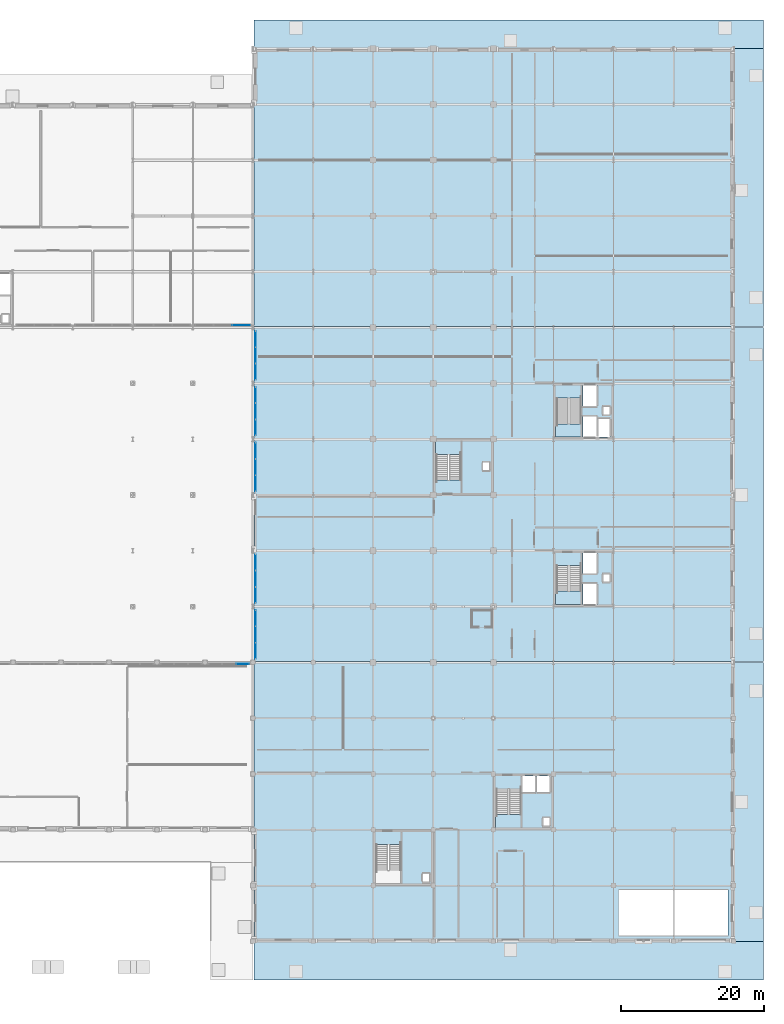
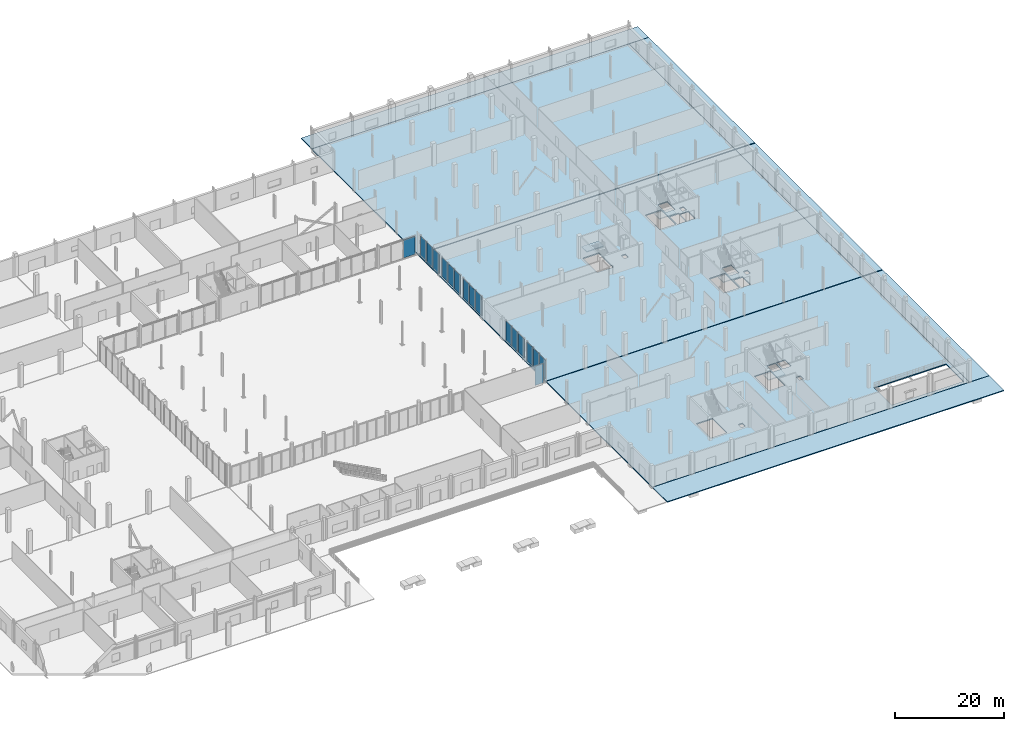
# One storey, part 43 of 80: 17 plates, 12 slabs, 11 elements without a shape of their own.
"""IFC4 building model written with IfcOpenShell, lengths in metres."""

import ifcopenshell
import ifcopenshell.guid

model = None  # the IFC model being written
_history = None  # IfcOwnerHistory: only IFC2X3 demands one
_inside = {}  # id of a spatial element -> (the spatial element, [elements in it])
_under = {}  # id of a project, library or spatial element -> (it, [spatial elements below it])
_declared = {}  # id of a project -> (the project, [libraries it declares])
_typed = {}  # id of a type object -> (the type object, [elements of that type])
_made_of = {}  # id of a material, layer set ... -> (it, [elements and type objects made of it])


def new_model(schema):
    """Start an empty IFC model of exactly this schema.

    Asked for "IFC4X3", IfcOpenShell would pick the latest addendum, in which some entities
    have other attributes; the version numbers below select the first issue.
    IFC2X3 requires an IfcOwnerHistory on every rooted entity: one is made here for all.
    """
    global model, _history
    if schema == "IFC4X3":
        model = ifcopenshell.file(schema_version=(4, 3, 0, 0))
    else:
        model = ifcopenshell.file(schema=schema)
    _inside.clear()
    _under.clear()
    _declared.clear()
    _typed.clear()
    _made_of.clear()
    _history = None
    if model.schema == "IFC2X3":
        org = make("IfcOrganization", Name="unknown")
        user = make(
            "IfcPersonAndOrganization",
            ThePerson=make("IfcPerson", FamilyName="unknown"),
            TheOrganization=org,
        )
        app = make(
            "IfcApplication",
            ApplicationDeveloper=org,
            Version="unknown",
            ApplicationFullName="unknown",
            ApplicationIdentifier="unknown",
        )
        _history = make(
            "IfcOwnerHistory",
            OwningUser=user,
            OwningApplication=app,
            ChangeAction="ADDED",
            CreationDate=0,
        )
    return model


def make(cls, **values):
    """One entity of the class cls with the attributes given. An attribute that is None is left unset."""
    return model.create_entity(
        cls, **{name: value for name, value in values.items() if value is not None}
    )


def rooted(cls, **values):
    """An entity with a GlobalId (a new one), such as an element, a storey or a relation."""
    return make(cls, GlobalId=ifcopenshell.guid.new(), OwnerHistory=_history, **values)


def si_unit(unit_type, name, prefix=None):
    """IfcSIUnit, for example si_unit("LENGTHUNIT", "METRE", prefix="MILLI")."""
    return make("IfcSIUnit", UnitType=unit_type, Prefix=prefix, Name=name)


def assignment(units):
    """IfcUnitAssignment: the units of a project."""
    return None if units is None else make("IfcUnitAssignment", Units=units)


def point(xyz):
    """IfcCartesianPoint."""
    return None if xyz is None else make("IfcCartesianPoint", Coordinates=xyz)


def direction(xyz):
    """IfcDirection."""
    return None if xyz is None else make("IfcDirection", DirectionRatios=xyz)


def frame(location, z_axis=None, x_axis=None):
    """IfcAxis2Placement3D, a coordinate frame: its origin and axes. An axis left out is left unset."""
    return make(
        "IfcAxis2Placement3D",
        Location=point(location),
        Axis=direction(z_axis),
        RefDirection=direction(x_axis),
    )


def frame_2d(location, x_axis=None):
    """IfcAxis2Placement2D, a coordinate frame in the plane: its origin and x axis."""
    return make(
        "IfcAxis2Placement2D", Location=point(location), RefDirection=direction(x_axis)
    )


def origin():
    """The frame at (0, 0, 0) with its axes left unset."""
    return frame((0.0, 0.0, 0.0))


def origin_2d():
    """The frame at (0, 0) in the plane with its x axis left unset."""
    return frame_2d((0.0, 0.0))


def place(relative_to, where):
    """IfcLocalPlacement: puts the frame where relative to a parent placement (None: the world)."""
    return make(
        "IfcLocalPlacement", PlacementRelTo=relative_to, RelativePlacement=where
    )


def context(
    kind, dimensions, precision=None, world=None, true_north=None, identifier=None
):
    """IfcGeometricRepresentationContext, for example the 3D "Model" context."""
    return make(
        "IfcGeometricRepresentationContext",
        ContextIdentifier=identifier,
        ContextType=kind,
        CoordinateSpaceDimension=dimensions,
        Precision=precision,
        WorldCoordinateSystem=world,
        TrueNorth=true_north,
    )


def subcontext(parent, identifier, kind, view, scale=None):
    """IfcGeometricRepresentationSubContext, for example "Body" below "Model"."""
    return make(
        "IfcGeometricRepresentationSubContext",
        ContextIdentifier=identifier,
        ContextType=kind,
        ParentContext=parent,
        TargetScale=scale,
        TargetView=view,
    )


def project(units=None, contexts=None):
    """IfcProject with its units and contexts."""
    return rooted(
        "IfcProject",
        Name="project",
        RepresentationContexts=contexts,
        UnitsInContext=assignment(units),
    )


def spatial(cls, under=None, at=None, **own):
    """A site, building, storey or space (cls), placed at a placement, below another one or the project."""
    s = rooted(cls, ObjectPlacement=at, **own)
    if under is not None:
        _under.setdefault(under.id(), (under, []))[1].append(s)
    return s


def polyline(points):
    """IfcPolyline through the points."""
    return make("IfcPolyline", Points=[point(p) for p in points])


def profile(cls, at=None, kind="AREA", **sizes):
    """A parametric profile (cls). Its sizes go by their IFC names, for example OverallWidth=200.0."""
    return make(cls, ProfileType=kind, Position=at, **sizes)


def rectangle(**sizes):
    """IfcRectangleProfileDef."""
    return profile("IfcRectangleProfileDef", **sizes)


def outline(outer, holes=None, kind="AREA"):
    """IfcArbitraryClosedProfileDef: a profile drawn as a closed curve; with holes, ...WithVoids."""
    if holes is None:
        return make("IfcArbitraryClosedProfileDef", ProfileType=kind, OuterCurve=outer)
    return make(
        "IfcArbitraryProfileDefWithVoids",
        ProfileType=kind,
        OuterCurve=outer,
        InnerCurves=holes,
    )


def extrude(swept, where, along, depth):
    """IfcExtrudedAreaSolid: the profile swept, set in the frame where, extruded along a direction by depth."""
    return make(
        "IfcExtrudedAreaSolid",
        SweptArea=swept,
        Position=where,
        ExtrudedDirection=direction(along),
        Depth=depth,
    )


def shape(context_of_items, identifier, shape_type, items):
    """IfcShapeRepresentation: the items that make up one representation, for example the "Body"."""
    return make(
        "IfcShapeRepresentation",
        ContextOfItems=context_of_items,
        RepresentationIdentifier=identifier,
        RepresentationType=shape_type,
        Items=items,
    )


def material(Name=None, Category=None):
    """IfcMaterial."""
    return make("IfcMaterial", Name=Name, Category=Category)


def layer(
    of_material, thickness, ventilated=None, Name=None, Category=None, Priority=None
):
    """IfcMaterialLayer: one layer of a wall or slab, of a material (None: an air gap)."""
    return make(
        "IfcMaterialLayer",
        Material=of_material,
        LayerThickness=thickness,
        IsVentilated=ventilated,
        Name=Name,
        Category=Category,
        Priority=Priority,
    )


def layer_set(layers, Name=None):
    """IfcMaterialLayerSet."""
    return make("IfcMaterialLayerSet", MaterialLayers=layers, LayerSetName=Name)


def made_of(thing, what):
    """Note that an element or type object is made of a material, layer set ...; save() writes the relation."""
    if what is not None:
        _made_of.setdefault(what.id(), (what, []))[1].append(thing)
    return thing


def type_object(cls, material=None, **own):
    """A type object (cls), such as IfcWallType, which elements share."""
    return made_of(rooted(cls, **own), material)


def element(
    cls,
    number,
    at=None,
    inside=None,
    cuts=None,
    type_object=None,
    material=None,
    context=None,
    identifier="Body",
    shape_type=None,
    held_by="IfcProductDefinitionShape",
    body=None,
    shapes=None,
    **own,
):
    """One element of the class cls, such as IfcWall. Its Tag is "e" and its number.

    at: its placement. inside: the storey or other place that contains it. cuts: it is an
    opening in that element (IfcRelVoidsElement). A single representation is given by context,
    identifier, shape_type and body (its items); several are given by shapes. held_by: the class
    of the entity that holds the representations. save() writes the other relations.
    """
    e = rooted(cls, Tag="e%d" % number, ObjectPlacement=at, **own)
    if body is not None:
        shapes = [shape(context, identifier, shape_type, body)]
    if shapes is not None:
        e.Representation = make(held_by, Representations=shapes)
    if inside is not None:
        _inside.setdefault(inside.id(), (inside, []))[1].append(e)
    if cuts is not None:
        rooted(
            "IfcRelVoidsElement", RelatingBuildingElement=cuts, RelatedOpeningElement=e
        )
    if type_object is not None:
        _typed.setdefault(type_object.id(), (type_object, []))[1].append(e)
    return made_of(e, material)


def aggregate(whole, parts):
    """IfcRelAggregates: a whole, such as a stair, and the parts it consists of."""
    return rooted("IfcRelAggregates", RelatingObject=whole, RelatedObjects=parts)


def save(model, path):
    """Write the relations noted so far, then the file.

    IfcRelAggregates (storeys below a building ...), IfcRelContainedInSpatialStructure (elements
    in a storey), IfcRelDefinesByType, IfcRelAssociatesMaterial and IfcRelDeclares: one each for
    every whole, place, type object, material and project.
    """
    for whole, parts in _under.values():
        aggregate(whole, parts)
    for where, things in _inside.values():
        rooted(
            "IfcRelContainedInSpatialStructure",
            RelatedElements=things,
            RelatingStructure=where,
        )
    for kind, things in _typed.values():
        rooted("IfcRelDefinesByType", RelatedObjects=things, RelatingType=kind)
    for what, things in _made_of.values():
        rooted("IfcRelAssociatesMaterial", RelatedObjects=things, RelatingMaterial=what)
    for by, libraries in _declared.values():
        rooted("IfcRelDeclares", RelatingContext=by, RelatedDefinitions=libraries)
    model.write(path)


model = new_model("IFC4")

# Units and contexts
model_context = context("Model", 3, precision=1e-05, world=origin(), true_north=direction((0.0, 1.0)))
body_context = subcontext(model_context, "Body", "Model", "MODEL_VIEW")
ifc_project = project(units=[si_unit("LENGTHUNIT", "METRE"), si_unit("AREAUNIT", "SQUARE_METRE"), si_unit("VOLUMEUNIT", "CUBIC_METRE"), si_unit("PLANEANGLEUNIT", "RADIAN"), si_unit("MASSUNIT", "GRAM", prefix="KILO")], contexts=[model_context])

# Site, building, storey
site_placement = place(None, origin())
site = spatial("IfcSite", under=ifc_project, at=site_placement, CompositionType="ELEMENT")
building_placement = place(site_placement, origin())
building = spatial("IfcBuilding", under=site, at=building_placement, Name="Nabrawat Pavilion Hospital", CompositionType="ELEMENT")
storey_placement = place(building_placement, origin())
storey = spatial("IfcBuildingStorey", under=building, at=storey_placement, Name="L00", CompositionType="ELEMENT", Elevation=0.0)

# Slabs
ifc_material_1 = material(Name="Concrete C35/45", Category="concrete")
ifc_layer_1 = layer(ifc_material_1, 0.25, Name="Concrete C35/45")
ifc_layer_set_1 = layer_set([ifc_layer_1], Name="Concrete C35/45")
slab_type_1 = type_object("IfcSlabType", Name="Composite Lower Ward Slab 250", PredefinedType="FLOOR", material=ifc_layer_set_1)
slab_1_placement = place(storey_placement, frame((0.0, 0.0, -0.25)))
element("IfcSlab", 1, at=slab_1_placement, inside=storey, type_object=slab_type_1, Name="L00 Structural Floor Slab P_L00_V6_S", PredefinedType="FLOOR", context=body_context, shape_type="SweptSolid", body=[
    extrude(outline(polyline([(126.1201171875, 39.1201171875), (193.199951171875, 39.1201171875), (193.199951171875, 85.800048828125), (126.1201171875, 85.800048828125), (126.1201171875, 39.1201171875)]), holes=[polyline([(175.8798828125, 73.10009765625), (175.8798828125, 70.5), (174.1201171875, 70.5), (174.1201171875, 73.10009765625), (175.8798828125, 73.10009765625)]), polyline([(174.949951171875, 50.25), (174.949951171875, 51.35009765625), (175.85009765625, 51.35009765625), (175.85009765625, 50.25), (174.949951171875, 50.25)]), polyline([(174.949951171875, 73.64990234375), (174.949951171875, 74.75), (175.85009765625, 74.75), (175.85009765625, 73.64990234375), (174.949951171875, 73.64990234375)]), polyline([(172.10009765625, 51.39990234375), (172.10009765625, 54.300048828125), (174.10009765625, 54.300048828125), (174.10009765625, 51.39990234375), (172.10009765625, 51.39990234375)]), polyline([(172.10009765625, 74.800048828125), (172.10009765625, 77.699951171875), (174.10009765625, 77.699951171875), (174.10009765625, 74.800048828125), (172.10009765625, 74.800048828125)]), polyline([(174.06005859375, 50.0), (174.06005859375, 47.10009765625), (172.10009765625, 47.10009765625), (172.10009765625, 50.0), (174.06005859375, 50.0)]), polyline([(172.10009765625, 70.5), (172.10009765625, 73.39990234375), (174.06005859375, 73.39990234375), (174.06005859375, 70.5), (172.10009765625, 70.5)]), polyline([(171.85009765625, 47.25), (168.449951171875, 47.25), (168.449951171875, 52.530029296875), (171.85009765625, 52.530029296875), (171.85009765625, 47.25)]), polyline([(171.85009765625, 70.64990234375), (168.449951171875, 70.64990234375), (168.449951171875, 75.929931640625), (171.85009765625, 75.929931640625), (171.85009765625, 70.64990234375)]), polyline([(159.050048828125, 66.949951171875), (159.050048828125, 65.85009765625), (158.14990234375, 65.85009765625), (158.14990234375, 66.949951171875), (159.050048828125, 66.949951171875)]), polyline([(155.050048828125, 64.469970703125), (151.64990234375, 64.469970703125), (151.64990234375, 69.75), (155.050048828125, 69.75), (155.050048828125, 64.469970703125)])]), origin(), (0.0, 0.0, 1.0), 0.25),
])
slab_2_placement = place(storey_placement, frame((0.0, 0.0, -0.25)))
element("IfcSlab", 2, at=slab_2_placement, inside=storey, type_object=slab_type_1, Name="L00 Structural Floor Slab P_L00_V6_N", PredefinedType="FLOOR", context=body_context, shape_type="SweptSolid", body=[
    extrude(outline(polyline([(193.199951171875, 85.919921875), (193.199951171875, 124.800048828125), (126.1201171875, 124.800048828125), (126.1201171875, 85.919921875), (193.199951171875, 85.919921875)])), origin(), (0.0, 0.0, 1.0), 0.25),
])
ifc_layer_2 = layer(ifc_material_1, 0.22998046875, Name="Concrete C35/45")
ifc_layer_set_2 = layer_set([ifc_layer_2], Name="Concrete C35/45")
slab_type_2 = type_object("IfcSlabType", Name="Composite Outpatient Floor Slab 230", PredefinedType="FLOOR", material=ifc_layer_set_2)
slab_3_placement = place(storey_placement, frame((0.0, 0.0, -0.22998046875)))
element("IfcSlab", 3, at=slab_3_placement, inside=storey, type_object=slab_type_2, Name="L00 Structural Floor Slab P_L00_V5", PredefinedType="FLOOR", context=body_context, shape_type="SweptSolid", body=[
    extrude(outline(polyline([(126.1201171875, 0.0), (193.199951171875, 0.0), (193.199951171875, 39.0), (126.1201171875, 39.0), (126.1201171875, 0.0)]), holes=[polyline([(177.199951171875, 0.800048828125), (177.199951171875, 7.199951171875), (192.39990234375, 7.199951171875), (192.39990234375, 0.800048828125), (177.199951171875, 0.800048828125)]), polyline([(167.47998046875, 23.10009765625), (167.47998046875, 20.800048828125), (165.719970703125, 20.800048828125), (165.719970703125, 23.10009765625), (167.47998046875, 23.10009765625)]), polyline([(167.449951171875, 17.25), (167.449951171875, 16.14990234375), (166.550048828125, 16.14990234375), (166.550048828125, 17.25), (167.449951171875, 17.25)]), polyline([(165.4599609375, 23.10009765625), (165.4599609375, 20.800048828125), (163.699951171875, 20.800048828125), (163.699951171875, 23.10009765625), (165.4599609375, 23.10009765625)]), polyline([(163.449951171875, 16.050048828125), (160.050048828125, 16.050048828125), (160.050048828125, 21.330078125), (163.449951171875, 21.330078125), (163.449951171875, 16.050048828125)]), polyline([(150.64990234375, 9.449951171875), (150.64990234375, 8.35009765625), (149.75, 8.35009765625), (149.75, 9.449951171875), (150.64990234375, 9.449951171875)]), polyline([(146.64990234375, 8.25), (143.25, 8.25), (143.25, 13.530029296875), (146.64990234375, 13.530029296875), (146.64990234375, 8.25)])]), origin(), (0.0, 0.0, 1.0), 0.22998046875),
])
ifc_layer_3 = layer(ifc_material_1, 0.199951171875, Name="Concrete C35/45")
ifc_layer_set_3 = layer_set([ifc_layer_3], Name="Concrete C35/45")
slab_type_3 = type_object("IfcSlabType", Name="Exterior Grade Driveway and Entry Apron 200", PredefinedType="FLOOR", material=ifc_layer_set_3)
slab_4_placement = place(storey_placement, frame((0.0, 0.0, -0.199951171875)))
element("IfcSlab", 4, at=slab_4_placement, inside=storey, type_object=slab_type_3, Name="L00 South-East Outpatient Plaza Apron", PredefinedType="FLOOR", context=body_context, shape_type="SweptSolid", body=[
    extrude(outline(polyline([(197.39990234375, -5.39990234375), (197.39990234375, -0.02001953125), (126.139892578125, -0.02001953125), (126.139892578125, -5.39990234375), (197.39990234375, -5.39990234375)])), origin(), (0.0, 0.0, 1.0), 0.199951171875),
])
slab_5_placement = place(storey_placement, frame((0.0, 0.0, -0.199951171875)))
element("IfcSlab", 5, at=slab_5_placement, inside=storey, type_object=slab_type_3, Name="L00 North-East Ward Perimeter Apron", PredefinedType="FLOOR", context=body_context, shape_type="SweptSolid", body=[
    extrude(outline(polyline([(197.39990234375, 124.820068359375), (197.39990234375, 128.800048828125), (126.139892578125, 128.800048828125), (126.139892578125, 124.820068359375), (197.39990234375, 124.820068359375)])), origin(), (0.0, 0.0, 1.0), 0.199951171875),
])
slab_6_placement = place(storey_placement, frame((0.0, 0.0, -0.199951171875)))
element("IfcSlab", 6, at=slab_6_placement, inside=storey, type_object=slab_type_3, Name="L00 East Boulevard Outpatient Apron Slab", PredefinedType="FLOOR", context=body_context, shape_type="SweptSolid", body=[
    extrude(outline(polyline([(197.39990234375, 0.0), (197.39990234375, 38.97998046875), (193.219970703125, 38.97998046875), (193.219970703125, 0.0), (197.39990234375, 0.0)])), origin(), (0.0, 0.0, 1.0), 0.199951171875),
])
slab_7_placement = place(storey_placement, frame((0.0, 0.0, -0.199951171875)))
element("IfcSlab", 7, at=slab_7_placement, inside=storey, type_object=slab_type_3, Name="L00 East Boulevard Central Ward Apron Slab", PredefinedType="FLOOR", context=body_context, shape_type="SweptSolid", body=[
    extrude(outline(polyline([(197.39990234375, 39.139892578125), (197.39990234375, 85.780029296875), (193.219970703125, 85.780029296875), (193.219970703125, 39.139892578125), (197.39990234375, 39.139892578125)])), origin(), (0.0, 0.0, 1.0), 0.199951171875),
])
slab_8_placement = place(storey_placement, frame((0.0, 0.0, -0.199951171875)))
element("IfcSlab", 8, at=slab_8_placement, inside=storey, type_object=slab_type_3, Name="L00 East Boulevard North Ward Apron Slab", PredefinedType="FLOOR", context=body_context, shape_type="SweptSolid", body=[
    extrude(outline(polyline([(197.39990234375, 85.93994140625), (197.39990234375, 124.800048828125), (193.219970703125, 124.800048828125), (193.219970703125, 85.93994140625), (197.39990234375, 85.93994140625)])), origin(), (0.0, 0.0, 1.0), 0.199951171875),
])

# Curtain wall, plate
ifc_material_2 = material(Name="Anodised Aluminium", Category="aluminium")
curtain_wall_type_1 = type_object("IfcCurtainWallType", Name="Healing Garden Cloister Curtain Wall", PredefinedType="USERDEFINED", material=ifc_material_2)
curtain_wall_1_placement = place(storey_placement, origin())
curtain_wall_1 = element("IfcCurtainWall", 9, at=curtain_wall_1_placement, inside=storey, type_object=curtain_wall_type_1, Name="L00 Healing Garden Cloister Curtain Wall 023", ObjectType="CURTAIN WALL", PredefinedType="USERDEFINED")
ifc_material_3 = material(Name="Double-Glazed Low-E Glass", Category="glass")
ifc_layer_4 = layer(ifc_material_3, 0.028076171875, Name="Double-Glazed Low-E Glass")
ifc_layer_set_4 = layer_set([ifc_layer_4], Name="Double-Glazed Low-E Glass")
plate_type_1 = type_object("IfcPlateType", Name="Healing Garden Cloister Curtain Wall Low-E Solar Panel 28", PredefinedType="CURTAIN_PANEL", material=ifc_layer_set_4)
plate_1_placement = place(storey_placement, frame((124.390380859375, 86.139892578125, 0.06494140625), z_axis=(0.0, 0.0, 1.0), x_axis=(1.0, 0.0, 0.0)))
plate_1 = element("IfcPlate", 10, at=plate_1_placement, type_object=plate_type_1, Name="CW-CLN-01 panel 3.1", PredefinedType="CURTAIN_PANEL", context=body_context, shape_type="SweptSolid", body=[
    extrude(rectangle(XDim=2.50927734375, YDim=0.028076171875, at=origin_2d()), origin(), (0.0, 0.0, 1.0), 4.010009765625),
])
aggregate(curtain_wall_1, [plate_1])

# Curtain wall, plates
curtain_wall_2_placement = place(storey_placement, origin())
curtain_wall_2 = element("IfcCurtainWall", 11, at=curtain_wall_2_placement, inside=storey, type_object=curtain_wall_type_1, Name="L00 Healing Garden Cloister Curtain Wall 024", ObjectType="CURTAIN WALL", PredefinedType="USERDEFINED")
plate_2_placement = place(storey_placement, frame((126.340087890625, 40.626220703125, 0.06494140625), z_axis=(0.0, 0.0, 1.0), x_axis=(0.0, 1.0, 0.0)))
plate_2 = element("IfcPlate", 12, at=plate_2_placement, type_object=plate_type_1, Name="CW-CLN-01 panel 1.1", PredefinedType="CURTAIN_PANEL", context=body_context, shape_type="SweptSolid", body=[
    extrude(rectangle(XDim=2.1923828125, YDim=0.028076171875, at=origin_2d()), origin(), (0.0, 0.0, 1.0), 4.31005859375),
])
plate_3_placement = place(storey_placement, frame((126.340087890625, 42.89990234375, 0.06494140625), z_axis=(0.0, 0.0, 1.0), x_axis=(0.0, 1.0, 0.0)))
plate_3 = element("IfcPlate", 13, at=plate_3_placement, type_object=plate_type_1, Name="CW-CLN-01 panel 2.1", PredefinedType="CURTAIN_PANEL", context=body_context, shape_type="SweptSolid", body=[
    extrude(rectangle(XDim=2.22509765625, YDim=0.028076171875, at=origin_2d()), origin(), (0.0, 0.0, 1.0), 4.31005859375),
])
plate_4_placement = place(storey_placement, frame((126.340087890625, 45.173828125, 0.06494140625), z_axis=(0.0, 0.0, 1.0), x_axis=(0.0, 1.0, 0.0)))
plate_4 = element("IfcPlate", 14, at=plate_4_placement, type_object=plate_type_1, Name="CW-CLN-01 panel 3.1", PredefinedType="CURTAIN_PANEL", context=body_context, shape_type="SweptSolid", body=[
    extrude(rectangle(XDim=2.1923828125, YDim=0.028076171875, at=origin_2d()), origin(), (0.0, 0.0, 1.0), 4.31005859375),
])
aggregate(curtain_wall_2, [plate_2, plate_3, plate_4])

curtain_wall_3_placement = place(storey_placement, origin())
curtain_wall_3 = element("IfcCurtainWall", 15, at=curtain_wall_3_placement, inside=storey, type_object=curtain_wall_type_1, Name="L00 Healing Garden Cloister Curtain Wall 025", ObjectType="CURTAIN WALL", PredefinedType="USERDEFINED")
plate_5_placement = place(storey_placement, frame((126.340087890625, 48.42626953125, 0.06494140625), z_axis=(0.0, 0.0, 1.0), x_axis=(0.0, 1.0, 0.0)))
plate_5 = element("IfcPlate", 16, at=plate_5_placement, type_object=plate_type_1, Name="CW-CLN-01 panel 1.1", PredefinedType="CURTAIN_PANEL", context=body_context, shape_type="SweptSolid", body=[
    extrude(rectangle(XDim=2.1923828125, YDim=0.028076171875, at=origin_2d()), origin(), (0.0, 0.0, 1.0), 4.31005859375),
])
plate_6_placement = place(storey_placement, frame((126.340087890625, 50.699951171875, 0.06494140625), z_axis=(0.0, 0.0, 1.0), x_axis=(0.0, 1.0, 0.0)))
plate_6 = element("IfcPlate", 17, at=plate_6_placement, type_object=plate_type_1, Name="CW-CLN-01 panel 2.1", PredefinedType="CURTAIN_PANEL", context=body_context, shape_type="SweptSolid", body=[
    extrude(rectangle(XDim=2.22509765625, YDim=0.028076171875, at=origin_2d()), origin(), (0.0, 0.0, 1.0), 4.31005859375),
])
plate_7_placement = place(storey_placement, frame((126.340087890625, 52.9736328125, 0.06494140625), z_axis=(0.0, 0.0, 1.0), x_axis=(0.0, 1.0, 0.0)))
plate_7 = element("IfcPlate", 18, at=plate_7_placement, type_object=plate_type_1, Name="CW-CLN-01 panel 3.1", PredefinedType="CURTAIN_PANEL", context=body_context, shape_type="SweptSolid", body=[
    extrude(rectangle(XDim=2.1923828125, YDim=0.028076171875, at=origin_2d()), origin(), (0.0, 0.0, 1.0), 4.31005859375),
])
aggregate(curtain_wall_3, [plate_5, plate_6, plate_7])

curtain_wall_4_placement = place(storey_placement, origin())
curtain_wall_4 = element("IfcCurtainWall", 19, at=curtain_wall_4_placement, inside=storey, type_object=curtain_wall_type_1, Name="L00 Healing Garden Cloister Curtain Wall 026", ObjectType="CURTAIN WALL", PredefinedType="USERDEFINED")
plate_8_placement = place(storey_placement, frame((126.340087890625, 64.0263671875, 0.06494140625), z_axis=(0.0, 0.0, 1.0), x_axis=(0.0, 1.0, 0.0)))
plate_8 = element("IfcPlate", 20, at=plate_8_placement, type_object=plate_type_1, Name="CW-CLN-01 panel 1.1", PredefinedType="CURTAIN_PANEL", context=body_context, shape_type="SweptSolid", body=[
    extrude(rectangle(XDim=2.1923828125, YDim=0.028076171875, at=origin_2d()), origin(), (0.0, 0.0, 1.0), 4.31005859375),
])
plate_9_placement = place(storey_placement, frame((126.340087890625, 66.300048828125, 0.06494140625), z_axis=(0.0, 0.0, 1.0), x_axis=(0.0, 1.0, 0.0)))
plate_9 = element("IfcPlate", 21, at=plate_9_placement, type_object=plate_type_1, Name="CW-CLN-01 panel 2.1", PredefinedType="CURTAIN_PANEL", context=body_context, shape_type="SweptSolid", body=[
    extrude(rectangle(XDim=2.22509765625, YDim=0.028076171875, at=origin_2d()), origin(), (0.0, 0.0, 1.0), 4.31005859375),
])
plate_10_placement = place(storey_placement, frame((126.340087890625, 68.57373046875, 0.06494140625), z_axis=(0.0, 0.0, 1.0), x_axis=(0.0, 1.0, 0.0)))
plate_10 = element("IfcPlate", 22, at=plate_10_placement, type_object=plate_type_1, Name="CW-CLN-01 panel 3.1", PredefinedType="CURTAIN_PANEL", context=body_context, shape_type="SweptSolid", body=[
    extrude(rectangle(XDim=2.1923828125, YDim=0.028076171875, at=origin_2d()), origin(), (0.0, 0.0, 1.0), 4.31005859375),
])
aggregate(curtain_wall_4, [plate_8, plate_9, plate_10])

curtain_wall_5_placement = place(storey_placement, origin())
curtain_wall_5 = element("IfcCurtainWall", 23, at=curtain_wall_5_placement, inside=storey, type_object=curtain_wall_type_1, Name="L00 Healing Garden Cloister Curtain Wall 027", ObjectType="CURTAIN WALL", PredefinedType="USERDEFINED")
plate_11_placement = place(storey_placement, frame((126.340087890625, 71.826171875, 0.06494140625), z_axis=(0.0, 0.0, 1.0), x_axis=(0.0, 1.0, 0.0)))
plate_11 = element("IfcPlate", 24, at=plate_11_placement, type_object=plate_type_1, Name="CW-CLN-01 panel 1.1", PredefinedType="CURTAIN_PANEL", context=body_context, shape_type="SweptSolid", body=[
    extrude(rectangle(XDim=2.1923828125, YDim=0.028076171875, at=origin_2d()), origin(), (0.0, 0.0, 1.0), 4.31005859375),
])
plate_12_placement = place(storey_placement, frame((126.340087890625, 74.10009765625, 0.06494140625), z_axis=(0.0, 0.0, 1.0), x_axis=(0.0, 1.0, 0.0)))
plate_12 = element("IfcPlate", 25, at=plate_12_placement, type_object=plate_type_1, Name="CW-CLN-01 panel 2.1", PredefinedType="CURTAIN_PANEL", context=body_context, shape_type="SweptSolid", body=[
    extrude(rectangle(XDim=2.22509765625, YDim=0.028076171875, at=origin_2d()), origin(), (0.0, 0.0, 1.0), 4.31005859375),
])
plate_13_placement = place(storey_placement, frame((126.340087890625, 76.373779296875, 0.06494140625), z_axis=(0.0, 0.0, 1.0), x_axis=(0.0, 1.0, 0.0)))
plate_13 = element("IfcPlate", 26, at=plate_13_placement, type_object=plate_type_1, Name="CW-CLN-01 panel 3.1", PredefinedType="CURTAIN_PANEL", context=body_context, shape_type="SweptSolid", body=[
    extrude(rectangle(XDim=2.1923828125, YDim=0.028076171875, at=origin_2d()), origin(), (0.0, 0.0, 1.0), 4.31005859375),
])
aggregate(curtain_wall_5, [plate_11, plate_12, plate_13])

curtain_wall_6_placement = place(storey_placement, origin())
curtain_wall_6 = element("IfcCurtainWall", 27, at=curtain_wall_6_placement, inside=storey, type_object=curtain_wall_type_1, Name="L00 Healing Garden Cloister Curtain Wall 028", ObjectType="CURTAIN WALL", PredefinedType="USERDEFINED")
plate_14_placement = place(storey_placement, frame((126.340087890625, 79.63037109375, 0.06494140625), z_axis=(0.0, 0.0, 1.0), x_axis=(0.0, 1.0, 0.0)))
plate_14 = element("IfcPlate", 28, at=plate_14_placement, type_object=plate_type_1, Name="CW-CLN-01 panel 1.1", PredefinedType="CURTAIN_PANEL", context=body_context, shape_type="SweptSolid", body=[
    extrude(rectangle(XDim=2.200927734375, YDim=0.028076171875, at=origin_2d()), origin(), (0.0, 0.0, 1.0), 4.31005859375),
])
plate_15_placement = place(storey_placement, frame((126.340087890625, 81.91259765625, 0.06494140625), z_axis=(0.0, 0.0, 1.0), x_axis=(0.0, 1.0, 0.0)))
plate_15 = element("IfcPlate", 29, at=plate_15_placement, type_object=plate_type_1, Name="CW-CLN-01 panel 2.1", PredefinedType="CURTAIN_PANEL", context=body_context, shape_type="SweptSolid", body=[
    extrude(rectangle(XDim=2.2333984375, YDim=0.028076171875, at=origin_2d()), origin(), (0.0, 0.0, 1.0), 4.31005859375),
])
plate_16_placement = place(storey_placement, frame((126.340087890625, 84.194580078125, 0.06494140625), z_axis=(0.0, 0.0, 1.0), x_axis=(0.0, 1.0, 0.0)))
plate_16 = element("IfcPlate", 30, at=plate_16_placement, type_object=plate_type_1, Name="CW-CLN-01 panel 3.1", PredefinedType="CURTAIN_PANEL", context=body_context, shape_type="SweptSolid", body=[
    extrude(rectangle(XDim=2.200927734375, YDim=0.028076171875, at=origin_2d()), origin(), (0.0, 0.0, 1.0), 4.31005859375),
])
aggregate(curtain_wall_6, [plate_14, plate_15, plate_16])

# Curtain wall, plate
curtain_wall_type_2 = type_object("IfcCurtainWallType", Name="Main Hall Pavilion Unitised Curtain Wall", PredefinedType="USERDEFINED", material=ifc_material_2)
curtain_wall_7_placement = place(storey_placement, origin())
curtain_wall_7 = element("IfcCurtainWall", 31, at=curtain_wall_7_placement, inside=storey, type_object=curtain_wall_type_2, Name="L00 Main Hall Pavilion Unitised Curtain Wall 016", ObjectType="CURTAIN WALL", PredefinedType="USERDEFINED")
ifc_layer_5 = layer(ifc_material_3, 0.035888671875, Name="Double-Glazed Low-E Glass")
ifc_layer_set_5 = layer_set([ifc_layer_5], Name="Double-Glazed Low-E Glass")
plate_type_2 = type_object("IfcPlateType", Name="Main Hall Pavilion Unitised Curtain Wall Low-E Solar Panel 36", PredefinedType="CURTAIN_PANEL", material=ifc_layer_set_5)
plate_17_placement = place(storey_placement, frame((124.55322265625, 38.780029296875, 0.0751953125), z_axis=(0.0, 0.0, 1.0), x_axis=(1.0, 0.0, 0.0)))
plate_17 = element("IfcPlate", 32, at=plate_17_placement, type_object=plate_type_2, Name="CW-MH-01 panel 3.1", PredefinedType="CURTAIN_PANEL", context=body_context, shape_type="SweptSolid", body=[
    extrude(rectangle(XDim=1.8134765625, YDim=0.035888671875, at=origin_2d()), origin(), (0.0, 0.0, 1.0), 4.300048828125),
])
aggregate(curtain_wall_7, [plate_17])

# Stair, slab
stair_type_1 = type_object("IfcStairType", Name="Core Dogleg Escape Stair Assembly", PredefinedType="HALF_TURN_STAIR", material=ifc_material_1)
stair_1_placement = place(storey_placement, origin())
stair_1 = element("IfcStair", 33, at=stair_1_placement, inside=storey, type_object=stair_type_1, Name="L00 Outpatient Clinics Core 4", PredefinedType="HALF_TURN_STAIR")
ifc_layer_6 = layer(ifc_material_1, 0.199951171875, Name="Concrete C35/45")
ifc_layer_set_6 = layer_set([ifc_layer_6], Name="Concrete C35/45")
slab_type_4 = type_object("IfcSlabType", Name="Reinforced Concrete Stair Half-Landing 200", PredefinedType="LANDING", material=ifc_layer_set_6)
slab_9_placement = place(storey_placement, frame((0.0, 0.0, 2.35009765625)))
slab_9 = element("IfcSlab", 34, at=slab_9_placement, type_object=slab_type_4, Name="ST-04 landing 1", PredefinedType="LANDING", context=body_context, shape_type="SweptSolid", body=[
    extrude(outline(polyline([(163.469970703125, 15.8798828125), (163.469970703125, 17.7548828125), (159.8798828125, 17.7548828125), (159.8798828125, 15.8798828125), (163.469970703125, 15.8798828125)])), origin(), (0.0, 0.0, 1.0), 0.199951171875),
])
aggregate(stair_1, [slab_9])

stair_type_2 = type_object("IfcStairType", Name="Ward Upper Dogleg Escape Stair Assembly", PredefinedType="HALF_TURN_STAIR", material=ifc_material_1)
stair_2_placement = place(storey_placement, origin())
stair_2 = element("IfcStair", 35, at=stair_2_placement, inside=storey, type_object=stair_type_2, Name="L00 Inpatient South Firefighting Core 5", PredefinedType="HALF_TURN_STAIR")
slab_10_placement = place(storey_placement, frame((0.0, 0.0, 2.35009765625)))
slab_10 = element("IfcSlab", 36, at=slab_10_placement, type_object=slab_type_4, Name="ST-05 landing 1", PredefinedType="LANDING", context=body_context, shape_type="SweptSolid", body=[
    extrude(outline(polyline([(171.8701171875, 47.080078125), (171.8701171875, 48.955078125), (168.280029296875, 48.955078125), (168.280029296875, 47.080078125), (171.8701171875, 47.080078125)])), origin(), (0.0, 0.0, 1.0), 0.199951171875),
])
aggregate(stair_2, [slab_10])

stair_3_placement = place(storey_placement, origin())
stair_3 = element("IfcStair", 37, at=stair_3_placement, inside=storey, type_object=stair_type_2, Name="L00 Inpatient North Firefighting Core 6", PredefinedType="HALF_TURN_STAIR")
slab_11_placement = place(storey_placement, frame((0.0, 0.0, 2.35009765625)))
slab_11 = element("IfcSlab", 38, at=slab_11_placement, type_object=slab_type_4, Name="ST-06 landing 1", PredefinedType="LANDING", context=body_context, shape_type="SweptSolid", body=[
    extrude(outline(polyline([(171.8701171875, 70.47998046875), (171.8701171875, 72.35498046875), (168.280029296875, 72.35498046875), (168.280029296875, 70.47998046875), (171.8701171875, 70.47998046875)])), origin(), (0.0, 0.0, 1.0), 0.199951171875),
])
aggregate(stair_3, [slab_11])

stair_4_placement = place(storey_placement, origin())
stair_4 = element("IfcStair", 39, at=stair_4_placement, inside=storey, type_object=stair_type_2, Name="L00 Inpatient West Escape Stair Core 9", PredefinedType="HALF_TURN_STAIR")
slab_12_placement = place(storey_placement, frame((0.0, 0.0, 2.35009765625)))
slab_12 = element("IfcSlab", 40, at=slab_12_placement, type_object=slab_type_4, Name="ST-09 landing 1", PredefinedType="LANDING", context=body_context, shape_type="SweptSolid", body=[
    extrude(outline(polyline([(155.070068359375, 68.044921875), (155.070068359375, 69.919921875), (151.47998046875, 69.919921875), (151.47998046875, 68.044921875), (155.070068359375, 68.044921875)])), origin(), (0.0, 0.0, 1.0), 0.199951171875),
])
aggregate(stair_4, [slab_12])

save(model, "model.ifc")
